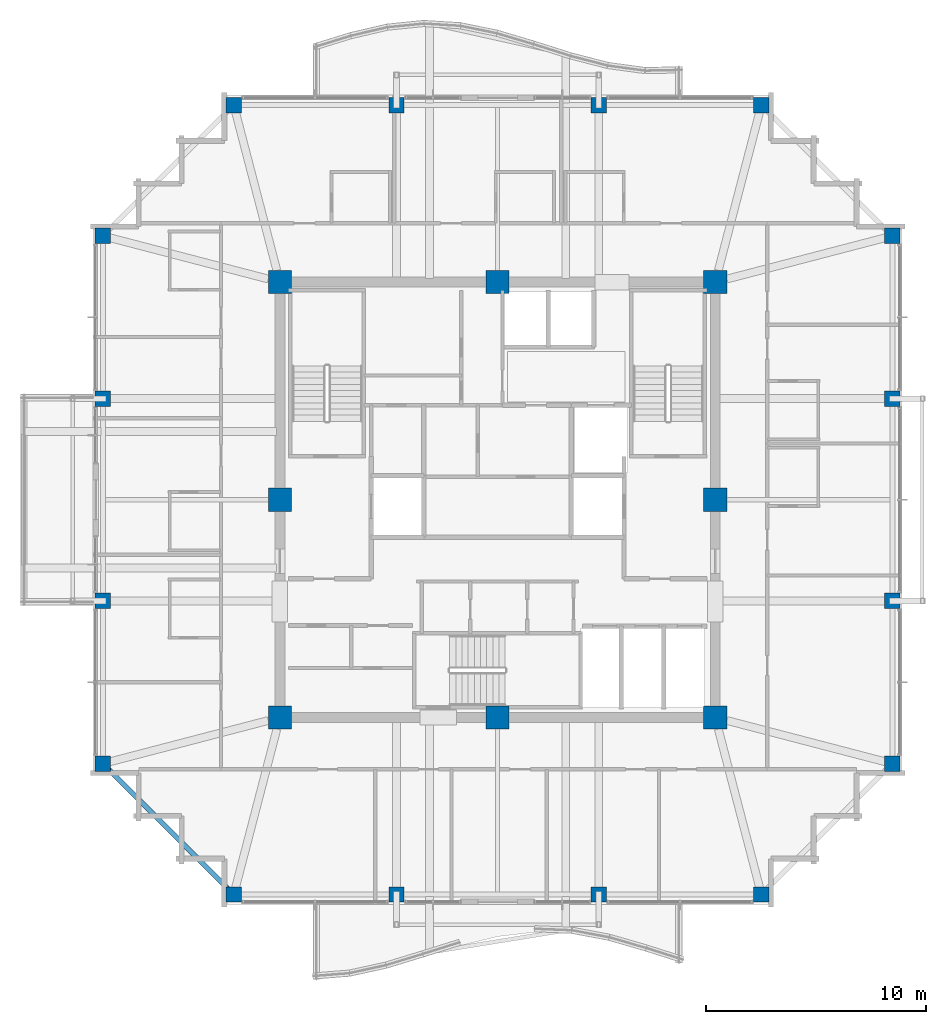
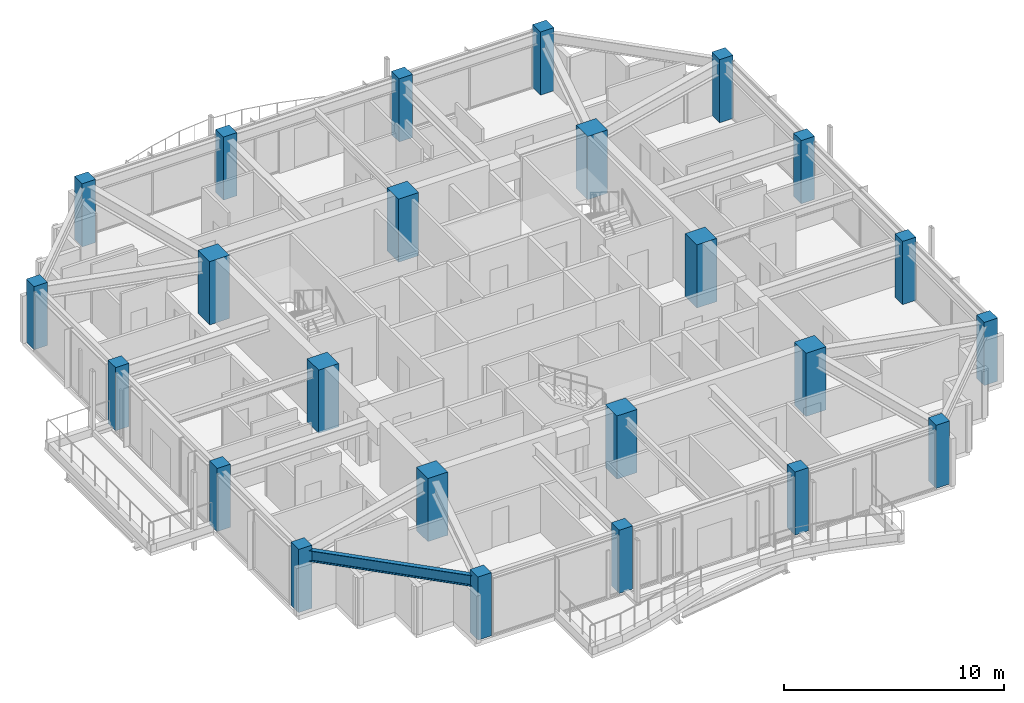
# One storey, part 1 of 34: 24 columns, 1 beam.
"""IFC4 building model written with IfcOpenShell, lengths in metres."""

from ifc_helpers import new_model, si_unit, direction, frame, origin, origin_2d, place, context, subcontext, project, spatial, rectangle, i_section, extrude, material, material_profile, profile_set, type_object, element, save


model = new_model("IFC4")

# Units and contexts
model_context = context("Model", 3, precision=1e-05, world=origin(), true_north=direction((0.0, 1.0)))
body_context = subcontext(model_context, "Body", "Model", "MODEL_VIEW")
ifc_project = project(units=[si_unit("LENGTHUNIT", "METRE"), si_unit("AREAUNIT", "SQUARE_METRE"), si_unit("VOLUMEUNIT", "CUBIC_METRE"), si_unit("PLANEANGLEUNIT", "RADIAN"), si_unit("MASSUNIT", "GRAM", prefix="KILO")], contexts=[model_context])

# Site, building, storey
site_placement = place(None, origin())
site = spatial("IfcSite", under=ifc_project, at=site_placement, CompositionType="ELEMENT")
building_placement = place(site_placement, origin())
building = spatial("IfcBuilding", under=site, at=building_placement, Name="Kolvaren Belvedere", CompositionType="ELEMENT")
storey_placement = place(building_placement, frame((0.0, 0.0, 240.89990234375)))
storey = spatial("IfcBuildingStorey", under=building, at=storey_placement, Name="L70", CompositionType="ELEMENT", Elevation=240.89990234375)

# Columns
ifc_material_1 = material(Name="Concrete C50/60", Category="concrete")
ifc_material_profile_1 = material_profile(ifc_material_1, rectangle(XDim=1.050048828125, YDim=1.050048828125, at=origin_2d()), Name="RC 1050X1050")
ifc_profile_set_1 = profile_set([ifc_material_profile_1], Name="Concrete C50/60")
column_type_1 = type_object("IfcColumnType", Name="COL-RC-1050", PredefinedType="COLUMN", material=ifc_profile_set_1)
for number, where, z_axis, x_axis, name in (
    (1, (-9.89990234375, -9.89990234375, 0.0), (0.0, 0.0, 1.0), (1.0, 0.0, 0.0), "L70 Core Column CC1"),
    (2, (9.89990234375, -9.89990234375, 0.0), (0.0, 0.0, 1.0), (1.0, 0.0, 0.0), "L70 Core Column CC2"),
    (3, (9.89990234375, 9.89990234375, 0.0), (0.0, 0.0, 1.0), (1.0, 0.0, 0.0), "L70 Core Column CC3"),
    (4, (-9.89990234375, 9.89990234375, 0.0), (0.0, 0.0, 1.0), (1.0, 0.0, 0.0), "L70 Core Column CC4"),
    (5, (0.0, -9.89990234375, 0.0), (0.0, 0.0, 1.0), (1.0, 0.0, 0.0), "L70 Core Column CM1"),
    (6, (9.89990234375, 0.0, 0.0), (0.0, 0.0, 1.0), (1.0, 0.0, 0.0), "L70 Core Column CM2"),
    (7, (0.0, 9.89990234375, 0.0), (0.0, 0.0, 1.0), (1.0, 0.0, 0.0), "L70 Core Column CM3"),
    (8, (-9.89990234375, 0.0, 0.0), (0.0, 0.0, 1.0), (1.0, 0.0, 0.0), "L70 Core Column CM4"),
):
    element("IfcColumn", number, at=place(storey_placement, frame(where, z_axis=z_axis, x_axis=x_axis)), inside=storey, type_object=column_type_1, Name=name, PredefinedType="COLUMN", context=body_context, shape_type="SweptSolid", body=[
        extrude(rectangle(XDim=1.050048828125, YDim=1.050048828125, at=origin_2d()), origin(), (0.0, 0.0, 1.0), 3.5),
    ])
ifc_material_2 = material(Name="Concrete C50/60", Category="concrete")
ifc_material_profile_2 = material_profile(ifc_material_2, rectangle(XDim=0.699951171875, YDim=0.699951171875, at=origin_2d()), Name="RC 700X700")
ifc_profile_set_2 = profile_set([ifc_material_profile_2], Name="Concrete C50/60")
column_type_2 = type_object("IfcColumnType", Name="COL-RC-700", PredefinedType="COLUMN", material=ifc_profile_set_2)
for number, where, z_axis, x_axis, name in (
    (9, (-12.0, -17.949951171875, 0.0), (0.0, 0.0, 1.0), (1.0, 0.0, 0.0), "L70 Perimeter Column S1"),
    (10, (-4.60009765625, -17.949951171875, 0.0), (0.0, 0.0, 1.0), (1.0, 0.0, 0.0), "L70 Perimeter Column S2"),
    (11, (4.60009765625, -17.949951171875, 0.0), (0.0, 0.0, 1.0), (1.0, 0.0, 0.0), "L70 Perimeter Column S3"),
    (12, (12.0, -17.949951171875, 0.0), (0.0, 0.0, 1.0), (1.0, 0.0, 0.0), "L70 Perimeter Column S4"),
    (13, (-12.0, 17.949951171875, 0.0), (0.0, 0.0, 1.0), (1.0, 0.0, 0.0), "L70 Perimeter Column N1"),
    (14, (-4.60009765625, 17.949951171875, 0.0), (0.0, 0.0, 1.0), (1.0, 0.0, 0.0), "L70 Perimeter Column N2"),
    (15, (4.60009765625, 17.949951171875, 0.0), (0.0, 0.0, 1.0), (1.0, 0.0, 0.0), "L70 Perimeter Column N3"),
    (16, (12.0, 17.949951171875, 0.0), (0.0, 0.0, 1.0), (1.0, 0.0, 0.0), "L70 Perimeter Column N4"),
    (17, (-17.949951171875, -12.0, 0.0), (0.0, 0.0, 1.0), (1.0, 0.0, 0.0), "L70 Perimeter Column W1"),
    (18, (-17.949951171875, -4.60009765625, 0.0), (0.0, 0.0, 1.0), (1.0, 0.0, 0.0), "L70 Perimeter Column W2"),
    (19, (-17.949951171875, 4.60009765625, 0.0), (0.0, 0.0, 1.0), (1.0, 0.0, 0.0), "L70 Perimeter Column W3"),
    (20, (-17.949951171875, 12.0, 0.0), (0.0, 0.0, 1.0), (1.0, 0.0, 0.0), "L70 Perimeter Column W4"),
    (21, (17.949951171875, -12.0, 0.0), (0.0, 0.0, 1.0), (1.0, 0.0, 0.0), "L70 Perimeter Column E1"),
    (22, (17.949951171875, -4.60009765625, 0.0), (0.0, 0.0, 1.0), (1.0, 0.0, 0.0), "L70 Perimeter Column E2"),
    (23, (17.949951171875, 4.60009765625, 0.0), (0.0, 0.0, 1.0), (1.0, 0.0, 0.0), "L70 Perimeter Column E3"),
    (24, (17.949951171875, 12.0, 0.0), (0.0, 0.0, 1.0), (1.0, 0.0, 0.0), "L70 Perimeter Column E4"),
):
    element("IfcColumn", number, at=place(storey_placement, frame(where, z_axis=z_axis, x_axis=x_axis)), inside=storey, type_object=column_type_2, Name=name, PredefinedType="COLUMN", context=body_context, shape_type="SweptSolid", body=[
        extrude(rectangle(XDim=0.699951171875, YDim=0.699951171875, at=origin_2d()), origin(), (0.0, 0.0, 1.0), 3.5),
    ])

# Beam
ifc_material_3 = material(Name="Structural steel ASTM A992 Grade 50", Category="steel")
ifc_material_profile_3 = material_profile(ifc_material_3, i_section(OverallWidth=0.22900390625, OverallDepth=0.612060546875, WebThickness=0.011962890625, FlangeThickness=0.01953125, FilletRadius=0.01806640625, at=origin_2d()), Name="W24X84")
ifc_profile_set_3 = profile_set([ifc_material_profile_3], Name="Structural steel ASTM A992 Grade 50")
beam_type = type_object("IfcBeamType", Name="BM-SPAN-W24X84", PredefinedType="SPANDREL", material=ifc_profile_set_3)
beam_placement = place(storey_placement, frame((-17.838623046875, -12.111328125, 2.944091796875), z_axis=(0.707106781187, -0.707106781187, 0.0), x_axis=(0.707106781187, 0.707106781187, 0.0)))
element("IfcBeam", 25, at=beam_placement, inside=storey, type_object=beam_type, Name="L70 Perimeter Spandrel W1-S1", PredefinedType="SPANDREL", context=body_context, shape_type="SweptSolid", body=[
    extrude(i_section(OverallWidth=0.22900390625, OverallDepth=0.612060546875, WebThickness=0.011962890625, FlangeThickness=0.01953125, FilletRadius=0.01806640625, at=origin_2d()), origin(), (0.0, 0.0, 1.0), 8.099609375),
])

save(model, "model.ifc")
